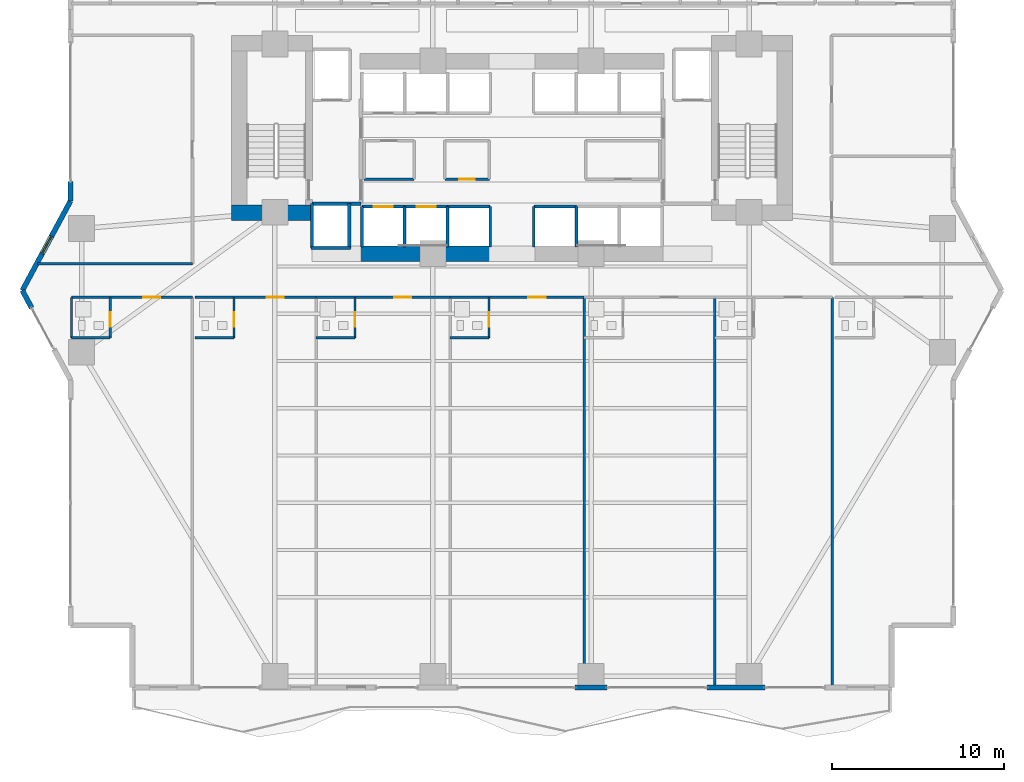
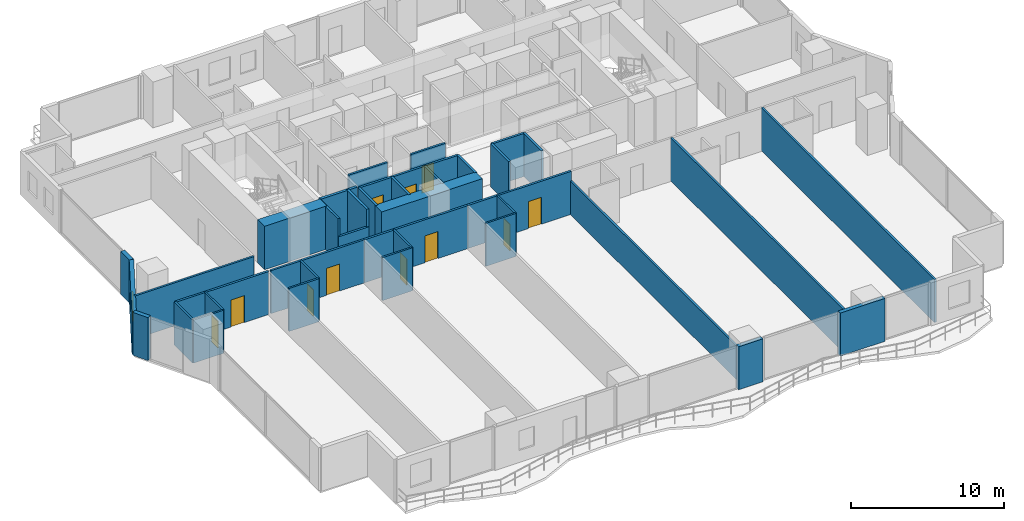
# One storey, part 19 of 28: 40 walls, 11 doors, 1 window, 12 openings.
"""IFC4 building model written with IfcOpenShell, lengths in metres."""

import ifcopenshell
import ifcopenshell.guid

model = None  # the IFC model being written
_history = None  # IfcOwnerHistory: only IFC2X3 demands one
_inside = {}  # id of a spatial element -> (the spatial element, [elements in it])
_under = {}  # id of a project, library or spatial element -> (it, [spatial elements below it])
_declared = {}  # id of a project -> (the project, [libraries it declares])
_typed = {}  # id of a type object -> (the type object, [elements of that type])
_made_of = {}  # id of a material, layer set ... -> (it, [elements and type objects made of it])


def new_model(schema):
    """Start an empty IFC model of exactly this schema.

    Asked for "IFC4X3", IfcOpenShell would pick the latest addendum, in which some entities
    have other attributes; the version numbers below select the first issue.
    IFC2X3 requires an IfcOwnerHistory on every rooted entity: one is made here for all.
    """
    global model, _history
    if schema == "IFC4X3":
        model = ifcopenshell.file(schema_version=(4, 3, 0, 0))
    else:
        model = ifcopenshell.file(schema=schema)
    _inside.clear()
    _under.clear()
    _declared.clear()
    _typed.clear()
    _made_of.clear()
    _history = None
    if model.schema == "IFC2X3":
        org = make("IfcOrganization", Name="unknown")
        user = make(
            "IfcPersonAndOrganization",
            ThePerson=make("IfcPerson", FamilyName="unknown"),
            TheOrganization=org,
        )
        app = make(
            "IfcApplication",
            ApplicationDeveloper=org,
            Version="unknown",
            ApplicationFullName="unknown",
            ApplicationIdentifier="unknown",
        )
        _history = make(
            "IfcOwnerHistory",
            OwningUser=user,
            OwningApplication=app,
            ChangeAction="ADDED",
            CreationDate=0,
        )
    return model


def make(cls, **values):
    """One entity of the class cls with the attributes given. An attribute that is None is left unset."""
    return model.create_entity(
        cls, **{name: value for name, value in values.items() if value is not None}
    )


def rooted(cls, **values):
    """An entity with a GlobalId (a new one), such as an element, a storey or a relation."""
    return make(cls, GlobalId=ifcopenshell.guid.new(), OwnerHistory=_history, **values)


def si_unit(unit_type, name, prefix=None):
    """IfcSIUnit, for example si_unit("LENGTHUNIT", "METRE", prefix="MILLI")."""
    return make("IfcSIUnit", UnitType=unit_type, Prefix=prefix, Name=name)


def assignment(units):
    """IfcUnitAssignment: the units of a project."""
    return None if units is None else make("IfcUnitAssignment", Units=units)


def point(xyz):
    """IfcCartesianPoint."""
    return None if xyz is None else make("IfcCartesianPoint", Coordinates=xyz)


def direction(xyz):
    """IfcDirection."""
    return None if xyz is None else make("IfcDirection", DirectionRatios=xyz)


def frame(location, z_axis=None, x_axis=None):
    """IfcAxis2Placement3D, a coordinate frame: its origin and axes. An axis left out is left unset."""
    return make(
        "IfcAxis2Placement3D",
        Location=point(location),
        Axis=direction(z_axis),
        RefDirection=direction(x_axis),
    )


def frame_2d(location, x_axis=None):
    """IfcAxis2Placement2D, a coordinate frame in the plane: its origin and x axis."""
    return make(
        "IfcAxis2Placement2D", Location=point(location), RefDirection=direction(x_axis)
    )


def origin():
    """The frame at (0, 0, 0) with its axes left unset."""
    return frame((0.0, 0.0, 0.0))


def place(relative_to, where):
    """IfcLocalPlacement: puts the frame where relative to a parent placement (None: the world)."""
    return make(
        "IfcLocalPlacement", PlacementRelTo=relative_to, RelativePlacement=where
    )


def context(
    kind, dimensions, precision=None, world=None, true_north=None, identifier=None
):
    """IfcGeometricRepresentationContext, for example the 3D "Model" context."""
    return make(
        "IfcGeometricRepresentationContext",
        ContextIdentifier=identifier,
        ContextType=kind,
        CoordinateSpaceDimension=dimensions,
        Precision=precision,
        WorldCoordinateSystem=world,
        TrueNorth=true_north,
    )


def subcontext(parent, identifier, kind, view, scale=None):
    """IfcGeometricRepresentationSubContext, for example "Body" below "Model"."""
    return make(
        "IfcGeometricRepresentationSubContext",
        ContextIdentifier=identifier,
        ContextType=kind,
        ParentContext=parent,
        TargetScale=scale,
        TargetView=view,
    )


def project(units=None, contexts=None):
    """IfcProject with its units and contexts."""
    return rooted(
        "IfcProject",
        Name="project",
        RepresentationContexts=contexts,
        UnitsInContext=assignment(units),
    )


def spatial(cls, under=None, at=None, **own):
    """A site, building, storey or space (cls), placed at a placement, below another one or the project."""
    s = rooted(cls, ObjectPlacement=at, **own)
    if under is not None:
        _under.setdefault(under.id(), (under, []))[1].append(s)
    return s


def profile(cls, at=None, kind="AREA", **sizes):
    """A parametric profile (cls). Its sizes go by their IFC names, for example OverallWidth=200.0."""
    return make(cls, ProfileType=kind, Position=at, **sizes)


def rectangle(**sizes):
    """IfcRectangleProfileDef."""
    return profile("IfcRectangleProfileDef", **sizes)


def extrude(swept, where, along, depth):
    """IfcExtrudedAreaSolid: the profile swept, set in the frame where, extruded along a direction by depth."""
    return make(
        "IfcExtrudedAreaSolid",
        SweptArea=swept,
        Position=where,
        ExtrudedDirection=direction(along),
        Depth=depth,
    )


def shape(context_of_items, identifier, shape_type, items):
    """IfcShapeRepresentation: the items that make up one representation, for example the "Body"."""
    return make(
        "IfcShapeRepresentation",
        ContextOfItems=context_of_items,
        RepresentationIdentifier=identifier,
        RepresentationType=shape_type,
        Items=items,
    )


def material(Name=None, Category=None):
    """IfcMaterial."""
    return make("IfcMaterial", Name=Name, Category=Category)


def layer(
    of_material, thickness, ventilated=None, Name=None, Category=None, Priority=None
):
    """IfcMaterialLayer: one layer of a wall or slab, of a material (None: an air gap)."""
    return make(
        "IfcMaterialLayer",
        Material=of_material,
        LayerThickness=thickness,
        IsVentilated=ventilated,
        Name=Name,
        Category=Category,
        Priority=Priority,
    )


def layer_set(layers, Name=None):
    """IfcMaterialLayerSet."""
    return make("IfcMaterialLayerSet", MaterialLayers=layers, LayerSetName=Name)


def made_of(thing, what):
    """Note that an element or type object is made of a material, layer set ...; save() writes the relation."""
    if what is not None:
        _made_of.setdefault(what.id(), (what, []))[1].append(thing)
    return thing


def type_object(cls, material=None, **own):
    """A type object (cls), such as IfcWallType, which elements share."""
    return made_of(rooted(cls, **own), material)


def element(
    cls,
    number,
    at=None,
    inside=None,
    cuts=None,
    type_object=None,
    material=None,
    context=None,
    identifier="Body",
    shape_type=None,
    held_by="IfcProductDefinitionShape",
    body=None,
    shapes=None,
    **own,
):
    """One element of the class cls, such as IfcWall. Its Tag is "e" and its number.

    at: its placement. inside: the storey or other place that contains it. cuts: it is an
    opening in that element (IfcRelVoidsElement). A single representation is given by context,
    identifier, shape_type and body (its items); several are given by shapes. held_by: the class
    of the entity that holds the representations. save() writes the other relations.
    """
    e = rooted(cls, Tag="e%d" % number, ObjectPlacement=at, **own)
    if body is not None:
        shapes = [shape(context, identifier, shape_type, body)]
    if shapes is not None:
        e.Representation = make(held_by, Representations=shapes)
    if inside is not None:
        _inside.setdefault(inside.id(), (inside, []))[1].append(e)
    if cuts is not None:
        rooted(
            "IfcRelVoidsElement", RelatingBuildingElement=cuts, RelatedOpeningElement=e
        )
    if type_object is not None:
        _typed.setdefault(type_object.id(), (type_object, []))[1].append(e)
    return made_of(e, material)


def fill(opening, filler):
    """IfcRelFillsElement: the door or window that sits in an opening."""
    return rooted(
        "IfcRelFillsElement",
        RelatingOpeningElement=opening,
        RelatedBuildingElement=filler,
    )


def aggregate(whole, parts):
    """IfcRelAggregates: a whole, such as a stair, and the parts it consists of."""
    return rooted("IfcRelAggregates", RelatingObject=whole, RelatedObjects=parts)


def save(model, path):
    """Write the relations noted so far, then the file.

    IfcRelAggregates (storeys below a building ...), IfcRelContainedInSpatialStructure (elements
    in a storey), IfcRelDefinesByType, IfcRelAssociatesMaterial and IfcRelDeclares: one each for
    every whole, place, type object, material and project.
    """
    for whole, parts in _under.values():
        aggregate(whole, parts)
    for where, things in _inside.values():
        rooted(
            "IfcRelContainedInSpatialStructure",
            RelatedElements=things,
            RelatingStructure=where,
        )
    for kind, things in _typed.values():
        rooted("IfcRelDefinesByType", RelatedObjects=things, RelatingType=kind)
    for what, things in _made_of.values():
        rooted("IfcRelAssociatesMaterial", RelatedObjects=things, RelatingMaterial=what)
    for by, libraries in _declared.values():
        rooted("IfcRelDeclares", RelatingContext=by, RelatedDefinitions=libraries)
    model.write(path)


model = new_model("IFC4")

# Units and contexts
model_context = context("Model", 3, precision=1e-05, world=origin(), true_north=direction((0.0, 1.0)))
body_context = subcontext(model_context, "Body", "Model", "MODEL_VIEW")
ifc_project = project(units=[si_unit("LENGTHUNIT", "METRE"), si_unit("AREAUNIT", "SQUARE_METRE"), si_unit("VOLUMEUNIT", "CUBIC_METRE"), si_unit("PLANEANGLEUNIT", "RADIAN"), si_unit("MASSUNIT", "GRAM", prefix="KILO")], contexts=[model_context])

# Site, building, storey
site_placement = place(None, origin())
site = spatial("IfcSite", under=ifc_project, at=site_placement, CompositionType="ELEMENT")
building_placement = place(site_placement, origin())
building = spatial("IfcBuilding", under=site, at=building_placement, Name="Zuhayl Quay Hotel", CompositionType="ELEMENT")
storey_placement = place(building_placement, frame((0.0, 0.0, 56.800048828125)))
storey = spatial("IfcBuildingStorey", under=building, at=storey_placement, Name="L13", CompositionType="ELEMENT", Elevation=56.800048828125)

# Walls
ifc_material_1 = material(Name="Concrete C70/85", Category="concrete")
ifc_layer_1 = layer(ifc_material_1, 0.89990234375, Name="Concrete C70/85", Category="concrete")
ifc_layer_set_1 = layer_set([ifc_layer_1], Name="Concrete C70/85")
wall_type_1 = type_object("IfcWallType", Name="WL_CORE_900", PredefinedType="SHEAR", material=ifc_layer_set_1)
wall_1_placement = place(storey_placement, frame((-16.31005859375, 4.52001953125, 0.0), z_axis=(0.0, 0.0, 1.0), x_axis=(1.0, 0.0, 0.0)))
element("IfcWall", 1, at=wall_1_placement, inside=storey, type_object=wall_type_1, Name="L13 Core Shear Wall CW_SW", PredefinedType="SHEAR", context=body_context, shape_type="SweptSolid", body=[
    extrude(rectangle(XDim=4.7099609375, YDim=0.89990234375, at=frame_2d((2.35498046875, 0.0))), origin(), (0.0, 0.0, 1.0), 3.4599609375),
])
wall_2_placement = place(storey_placement, frame((-8.85009765625, 2.14990234375, 0.0), z_axis=(0.0, 0.0, 1.0), x_axis=(1.0, 0.0, 0.0)))
element("IfcWall", 2, at=wall_2_placement, inside=storey, type_object=wall_type_1, Name="L13 Core Shear Wall CW_SC_W", PredefinedType="SHEAR", context=body_context, shape_type="SweptSolid", body=[
    extrude(rectangle(XDim=7.60009765625, YDim=0.89990234375, at=frame_2d((3.800048828125, 0.0))), origin(), (0.0, 0.0, 1.0), 3.429931640625),
])
ifc_material_2 = material(Name="Precast concrete C45/55", Category="concrete")
ifc_layer_2 = layer(ifc_material_2, 0.300048828125, Name="Precast concrete C45/55", Category="concrete")
ifc_layer_set_2 = layer_set([ifc_layer_2], Name="Precast concrete C45/55")
wall_type_2 = type_object("IfcWallType", Name="WL_EXT_300", PredefinedType="STANDARD", material=ifc_layer_set_2)
wall_3_placement = place(storey_placement, frame((-27.954833984375, -1.012451171875, 0.0), z_axis=(0.0, 0.0, 1.0), x_axis=(-0.474099823035, 0.880471099922, 0.0)))
element("IfcWall", 3, at=wall_3_placement, inside=storey, type_object=wall_type_2, Name="L13 Exterior Precast Wall ENV_L13_E03_EW2", PredefinedType="STANDARD", context=body_context, shape_type="SweptSolid", body=[
    extrude(rectangle(XDim=1.14990234375, YDim=0.300048828125, at=frame_2d((0.574951171875, 0.0))), origin(), (0.0, 0.0, 1.0), 3.429931640625),
])

# Wall, opening, window
wall_4_placement = place(storey_placement, frame((-28.5, 0.0, 0.0), z_axis=(0.0, 0.0, 1.0), x_axis=(0.474109683532, 0.880465790352, 0.0)))
wall_4 = element("IfcWall", 4, at=wall_4_placement, inside=storey, type_object=wall_type_2, Name="L13 Exterior Precast Wall ENV_L13_E04_EW1", PredefinedType="STANDARD", context=body_context, shape_type="SweptSolid", body=[
    extrude(rectangle(XDim=5.906005859375, YDim=0.300048828125, at=frame_2d((2.953125, 0.0))), origin(), (0.0, 0.0, 1.0), 3.429931640625),
])
opening_1_placement = place(wall_4_placement, frame((2.43212890625, 0.0, 0.949951171875)))
opening_1 = element("IfcOpeningElement", 5, at=opening_1_placement, cuts=wall_4, Name="Opening W01N", PredefinedType="OPENING", context=body_context, shape_type="SweptSolid", body=[
    extrude(rectangle(XDim=1.14990234375, YDim=1.550048828125, at=frame_2d((0.574951171875, 0.77490234375))), frame((0.0, 0.159912109375, 0.0), z_axis=(0.0, -1.0, 0.0), x_axis=(1.0, 0.0, 0.0)), (0.0, 0.0, 1.0), 0.320068359375),
])
ifc_material_3 = material(Name="Dark Ceramic-Fritted Solar Glass", Category="glass")
window_type = type_object("IfcWindowType", Name="WN_NOTCH_1350", PartitioningType="SINGLE_PANEL", PredefinedType="WINDOW", material=ifc_material_3)
window_placement = place(opening_1_placement, origin())
window = element("IfcWindow", 6, at=window_placement, inside=storey, type_object=window_type, Name="L13 Operable Facade Window 1-1", OverallHeight=1.550048828125, OverallWidth=1.14990234375, PartitioningType="SINGLE_PANEL", PredefinedType="WINDOW", context=body_context, shape_type="SweptSolid", body=[
    extrude(rectangle(XDim=1.14990234375, YDim=1.550048828125, at=frame_2d((0.574951171875, 0.77490234375))), frame((0.0, 0.030029296875, 0.0), z_axis=(0.0, -1.0, 0.0), x_axis=(1.0, 0.0, 0.0)), (0.0, 0.0, 1.0), 0.06005859375),
])
fill(opening_1, window)

# Walls
wall_5_placement = place(storey_placement, frame((-25.699951171875, 5.199951171875, 0.0), z_axis=(0.0, 0.0, 1.0), x_axis=(0.0, 1.0, 0.0)))
element("IfcWall", 7, at=wall_5_placement, inside=storey, type_object=wall_type_2, Name="L13 Exterior Precast Wall ENV_L13_E05_EW1", PredefinedType="STANDARD", context=body_context, shape_type="SweptSolid", body=[
    extrude(rectangle(XDim=1.150146484375, YDim=0.300048828125, at=frame_2d((0.5751953125, 0.0))), origin(), (0.0, 0.0, 1.0), 3.429931640625),
])
wall_6_placement = place(storey_placement, frame((14.719970703125, -23.10009765625, 0.0), z_axis=(0.0, 0.0, 1.0), x_axis=(-1.0, 0.0, 0.0)))
element("IfcWall", 8, at=wall_6_placement, inside=storey, type_object=wall_type_2, Name="L13 Exterior Precast Wall ENV_L13_S_EW2", PredefinedType="STANDARD", context=body_context, shape_type="SweptSolid", body=[
    extrude(rectangle(XDim=3.369873046875, YDim=0.300048828125, at=frame_2d((1.68505859375, 0.0))), origin(), (0.0, 0.0, 1.0), 3.429931640625),
])
wall_7_placement = place(storey_placement, frame((5.52001953125, -23.10009765625, 0.0), z_axis=(0.0, 0.0, 1.0), x_axis=(-1.0, 0.0, 0.0)))
element("IfcWall", 9, at=wall_7_placement, inside=storey, type_object=wall_type_2, Name="L13 Exterior Precast Wall ENV_L13_S_EW3", PredefinedType="STANDARD", context=body_context, shape_type="SweptSolid", body=[
    extrude(rectangle(XDim=1.840087890625, YDim=0.300048828125, at=frame_2d((0.919921875, 0.0))), origin(), (0.0, 0.0, 1.0), 3.429931640625),
])

# Wall, opening, door
ifc_material_4 = material(Name="Acoustic Gypsum Partition STC-58")
ifc_layer_3 = layer(ifc_material_4, 0.14990234375, Name="Acoustic Gypsum Partition STC-58")
ifc_layer_set_3 = layer_set([ifc_layer_3], Name="Acoustic Gypsum Partition STC-58")
wall_type_3 = type_object("IfcWallType", Name="WL_PART_150", PredefinedType="PARTITIONING", material=ifc_layer_set_3)
wall_8_placement = place(storey_placement, frame((-3.909912109375, 6.47998046875, 0.0), z_axis=(0.0, 0.0, 1.0), x_axis=(1.0, 0.0, 0.0)))
wall_8 = element("IfcWall", 10, at=wall_8_placement, inside=storey, type_object=wall_type_3, Name="L13 Partition IW_L13_CORE_BC_S", PredefinedType="PARTITIONING", context=body_context, shape_type="SweptSolid", body=[
    extrude(rectangle(XDim=2.58984375, YDim=0.14990234375, at=frame_2d((1.294921875, 0.0))), origin(), (0.0, 0.0, 1.0), 3.429931640625),
])
opening_2_placement = place(wall_8_placement, frame((0.844970703125, 0.0, 0.0)))
opening_2 = element("IfcOpeningElement", 11, at=opening_2_placement, cuts=wall_8, Name="Opening D06", PredefinedType="OPENING", context=body_context, shape_type="SweptSolid", body=[
    extrude(rectangle(XDim=0.89990234375, YDim=2.14990234375, at=frame_2d((0.449951171875, 1.074951171875))), frame((0.0, 0.0849609375, 0.0), z_axis=(0.0, -1.0, 0.0), x_axis=(1.0, 0.0, 0.0)), (0.0, 0.0, 1.0), 0.169921875),
])
ifc_material_5 = material(Name="Steel ASTM A992 Grade 50", Category="steel")
door_type_1 = type_object("IfcDoorType", Name="DR_INT_900", OperationType="NOTDEFINED", PredefinedType="DOOR", material=ifc_material_5)
door_1_placement = place(opening_2_placement, origin())
door_1 = element("IfcDoor", 12, at=door_1_placement, inside=storey, type_object=door_type_1, Name="L13 BMS Control Closet Door", OperationType="SINGLE_SWING_RIGHT", OverallHeight=2.14990234375, OverallWidth=0.89990234375, PredefinedType="DOOR", context=body_context, shape_type="SweptSolid", body=[
    extrude(rectangle(XDim=0.89990234375, YDim=2.14990234375, at=frame_2d((0.449951171875, 1.074951171875))), frame((0.0, 0.02490234375, 0.0), z_axis=(0.0, -1.0, 0.0), x_axis=(1.0, 0.0, 0.0)), (0.0, 0.0, 1.0), 0.050048828125),
])
fill(opening_2, door_1)

# Walls
wall_9_placement = place(storey_placement, frame((-8.610107421875, 6.47998046875, 0.0), z_axis=(0.0, 0.0, 1.0), x_axis=(1.0, 0.0, 0.0)))
element("IfcWall", 13, at=wall_9_placement, inside=storey, type_object=wall_type_3, Name="L13 Partition IW_L13_CORE_HK_S", PredefinedType="PARTITIONING", context=body_context, shape_type="SweptSolid", body=[
    extrude(rectangle(XDim=2.920166015625, YDim=0.14990234375, at=frame_2d((1.4599609375, 0.0))), origin(), (0.0, 0.0, 1.0), 3.429931640625),
])
wall_10_placement = place(storey_placement, frame((4.199951171875, -23.02001953125, 0.0), z_axis=(0.0, 0.0, 1.0), x_axis=(0.0, 1.0, 0.0)))
element("IfcWall", 14, at=wall_10_placement, inside=storey, type_object=wall_type_3, Name="L13 Partition IW_L13_SU03_E", PredefinedType="PARTITIONING", context=body_context, shape_type="SweptSolid", body=[
    extrude(rectangle(XDim=22.6201171875, YDim=0.14990234375, at=frame_2d((11.31005859375, 0.0))), origin(), (0.0, 0.0, 1.0), 2.66796875),
])
for number, where, z_axis, x_axis, name in (
    (15, (11.800048828125, -23.02001953125, 0.0), (0.0, 0.0, 1.0), (0.0, 1.0, 0.0), "L13 Partition IW_L13_SU04_E"),
    (16, (18.639892578125, -23.02001953125, 0.0), (0.0, 0.0, 1.0), (0.0, 1.0, 0.0), "L13 Partition IW_L13_SU05A_E"),
):
    element("IfcWall", number, at=place(storey_placement, frame(where, z_axis=z_axis, x_axis=x_axis)), inside=storey, type_object=wall_type_3, Name=name, PredefinedType="PARTITIONING", context=body_context, shape_type="SweptSolid", body=[
        extrude(rectangle(XDim=22.6201171875, YDim=0.14990234375, at=frame_2d((11.31005859375, 0.0))), origin(), (0.0, 0.0, 1.0), 3.429931640625),
    ])
wall_11_placement = place(storey_placement, frame((-27.60546875, 1.550048828125, 0.0), z_axis=(0.0, 0.0, 1.0), x_axis=(1.0, 0.0, 0.0)))
element("IfcWall", 17, at=wall_11_placement, inside=storey, type_object=wall_type_3, Name="L13 Partition IW_L13_WPROW_1_S", PredefinedType="PARTITIONING", context=body_context, shape_type="SweptSolid", body=[
    extrude(rectangle(XDim=9.00537109375, YDim=0.14990234375, at=frame_2d((4.502685546875, 0.0))), origin(), (0.0, 0.0, 1.0), 3.429931640625),
])

# Wall, opening, door
ifc_layer_4 = layer(ifc_material_4, 0.159912109375, Name="Acoustic Gypsum Partition STC-58")
ifc_layer_set_4 = layer_set([ifc_layer_4], Name="Acoustic Gypsum Partition STC-58")
wall_type_4 = type_object("IfcWallType", Name="WL_PART_CORR_160", PredefinedType="PARTITIONING", material=ifc_layer_set_4)
wall_12_placement = place(storey_placement, frame((-25.639892578125, -0.39990234375, 0.0), z_axis=(0.0, 0.0, 1.0), x_axis=(1.0, 0.0, 0.0)))
wall_12 = element("IfcWall", 18, at=wall_12_placement, inside=storey, type_object=wall_type_4, Name="L13 Partition IW_L13_SU01A_COR", PredefinedType="PARTITIONING", context=body_context, shape_type="SweptSolid", body=[
    extrude(rectangle(XDim=7.039794921875, YDim=0.159912109375, at=frame_2d((3.52001953125, 0.0))), origin(), (0.0, 0.0, 1.0), 3.429931640625),
])
opening_3_placement = place(wall_12_placement, frame((4.169921875, 0.0, 0.0)))
opening_3 = element("IfcOpeningElement", 19, at=opening_3_placement, cuts=wall_12, Name="Opening D03L", PredefinedType="OPENING", context=body_context, shape_type="SweptSolid", body=[
    extrude(rectangle(XDim=1.0, YDim=2.14990234375, at=frame_2d((0.5, 1.074951171875))), frame((0.0, 0.08984375, 0.0), z_axis=(0.0, -1.0, 0.0), x_axis=(1.0, 0.0, 0.0)), (0.0, 0.0, 1.0), 0.179931640625),
])
ifc_material_6 = material(Name="Solid Walnut Acoustic Fire Door")
door_type_2 = type_object("IfcDoorType", Name="DR_SUITE_1000", OperationType="NOTDEFINED", PredefinedType="DOOR", material=ifc_material_6)
door_2_placement = place(opening_3_placement, origin())
door_2 = element("IfcDoor", 20, at=door_2_placement, inside=storey, type_object=door_type_2, Name="L13 City-View Junior Suite L13-01A Entrance Door", OperationType="SINGLE_SWING_RIGHT", OverallHeight=2.14990234375, OverallWidth=1.0, PredefinedType="DOOR", context=body_context, shape_type="SweptSolid", body=[
    extrude(rectangle(XDim=1.0, YDim=2.14990234375, at=frame_2d((0.5, 1.074951171875))), frame((0.0, 0.02490234375, 0.0), z_axis=(0.0, -1.0, 0.0), x_axis=(1.0, 0.0, 0.0)), (0.0, 0.0, 1.0), 0.050048828125),
])
fill(opening_3, door_2)

wall_13_placement = place(storey_placement, frame((-18.43994140625, -0.39990234375, 0.0), z_axis=(0.0, 0.0, 1.0), x_axis=(1.0, 0.0, 0.0)))
wall_13 = element("IfcWall", 21, at=wall_13_placement, inside=storey, type_object=wall_type_4, Name="L13 Partition IW_L13_SU01B_COR", PredefinedType="PARTITIONING", context=body_context, shape_type="SweptSolid", body=[
    extrude(rectangle(XDim=7.0400390625, YDim=0.159912109375, at=frame_2d((3.52001953125, 0.0))), origin(), (0.0, 0.0, 1.0), 3.429931640625),
])
opening_4_placement = place(wall_13_placement, frame((4.169921875, 0.0, 0.0)))
opening_4 = element("IfcOpeningElement", 22, at=opening_4_placement, cuts=wall_13, Name="Opening D03L", PredefinedType="OPENING", context=body_context, shape_type="SweptSolid", body=[
    extrude(rectangle(XDim=1.0, YDim=2.14990234375, at=frame_2d((0.5, 1.074951171875))), frame((0.0, 0.08984375, 0.0), z_axis=(0.0, -1.0, 0.0), x_axis=(1.0, 0.0, 0.0)), (0.0, 0.0, 1.0), 0.179931640625),
])
door_3_placement = place(opening_4_placement, origin())
door_3 = element("IfcDoor", 23, at=door_3_placement, inside=storey, type_object=door_type_2, Name="L13 City-View Junior Suite L13-01B Entrance Door", OperationType="SINGLE_SWING_RIGHT", OverallHeight=2.14990234375, OverallWidth=1.0, PredefinedType="DOOR", context=body_context, shape_type="SweptSolid", body=[
    extrude(rectangle(XDim=1.0, YDim=2.14990234375, at=frame_2d((0.5, 1.074951171875))), frame((0.0, 0.02490234375, 0.0), z_axis=(0.0, -1.0, 0.0), x_axis=(1.0, 0.0, 0.0)), (0.0, 0.0, 1.0), 0.050048828125),
])
fill(opening_4, door_3)

wall_14_placement = place(storey_placement, frame((-11.39990234375, -0.39990234375, 0.0), z_axis=(0.0, 0.0, 1.0), x_axis=(1.0, 0.0, 0.0)))
wall_14 = element("IfcWall", 24, at=wall_14_placement, inside=storey, type_object=wall_type_4, Name="L13 Partition IW_L13_SU02_COR", PredefinedType="PARTITIONING", context=body_context, shape_type="SweptSolid", body=[
    extrude(rectangle(XDim=7.7998046875, YDim=0.159912109375, at=frame_2d((3.89990234375, 0.0))), origin(), (0.0, 0.0, 1.0), 3.429931640625),
])
opening_5_placement = place(wall_14_placement, frame((4.550048828125, 0.0, 0.0)))
opening_5 = element("IfcOpeningElement", 25, at=opening_5_placement, cuts=wall_14, Name="Opening D03L", PredefinedType="OPENING", context=body_context, shape_type="SweptSolid", body=[
    extrude(rectangle(XDim=1.0, YDim=2.14990234375, at=frame_2d((0.5, 1.074951171875))), frame((0.0, 0.08984375, 0.0), z_axis=(0.0, -1.0, 0.0), x_axis=(1.0, 0.0, 0.0)), (0.0, 0.0, 1.0), 0.179931640625),
])
door_4_placement = place(opening_5_placement, origin())
door_4 = element("IfcDoor", 26, at=door_4_placement, inside=storey, type_object=door_type_2, Name="L13 City-View Junior Suite L13-02 Entrance Door", OperationType="SINGLE_SWING_RIGHT", OverallHeight=2.14990234375, OverallWidth=1.0, PredefinedType="DOOR", context=body_context, shape_type="SweptSolid", body=[
    extrude(rectangle(XDim=1.0, YDim=2.14990234375, at=frame_2d((0.5, 1.074951171875))), frame((0.0, 0.02490234375, 0.0), z_axis=(0.0, -1.0, 0.0), x_axis=(1.0, 0.0, 0.0)), (0.0, 0.0, 1.0), 0.050048828125),
])
fill(opening_5, door_4)

wall_15_placement = place(storey_placement, frame((-3.60009765625, -0.39990234375, 0.0), z_axis=(0.0, 0.0, 1.0), x_axis=(1.0, 0.0, 0.0)))
wall_15 = element("IfcWall", 27, at=wall_15_placement, inside=storey, type_object=wall_type_4, Name="L13 Partition IW_L13_SU03_COR", PredefinedType="PARTITIONING", context=body_context, shape_type="SweptSolid", body=[
    extrude(rectangle(XDim=7.800048828125, YDim=0.159912109375, at=frame_2d((3.89990234375, 0.0))), origin(), (0.0, 0.0, 1.0), 3.429931640625),
])
opening_6_placement = place(wall_15_placement, frame((4.550048828125, 0.0, 0.0)))
opening_6 = element("IfcOpeningElement", 28, at=opening_6_placement, cuts=wall_15, Name="Opening D03L", PredefinedType="OPENING", context=body_context, shape_type="SweptSolid", body=[
    extrude(rectangle(XDim=1.0, YDim=2.14990234375, at=frame_2d((0.5, 1.074951171875))), frame((0.0, 0.08984375, 0.0), z_axis=(0.0, -1.0, 0.0), x_axis=(1.0, 0.0, 0.0)), (0.0, 0.0, 1.0), 0.179931640625),
])
door_5_placement = place(opening_6_placement, origin())
door_5 = element("IfcDoor", 29, at=door_5_placement, inside=storey, type_object=door_type_2, Name="L13 City-View Junior Suite L13-03 Entrance Door", OperationType="SINGLE_SWING_RIGHT", OverallHeight=2.14990234375, OverallWidth=1.0, PredefinedType="DOOR", context=body_context, shape_type="SweptSolid", body=[
    extrude(rectangle(XDim=1.0, YDim=2.14990234375, at=frame_2d((0.5, 1.074951171875))), frame((0.0, 0.02490234375, 0.0), z_axis=(0.0, -1.0, 0.0), x_axis=(1.0, 0.0, 0.0)), (0.0, 0.0, 1.0), 0.050048828125),
])
fill(opening_6, door_5)

ifc_material_7 = material(Name="Moisture-Resistant Sanitarychase Gypsum")
ifc_layer_5 = layer(ifc_material_7, 0.135009765625, Name="Moisture-Resistant Sanitarychase Gypsum")
ifc_layer_set_5 = layer_set([ifc_layer_5], Name="Moisture-Resistant Sanitarychase Gypsum")
wall_type_5 = type_object("IfcWallType", Name="WL_PART_PLUMB_150", PredefinedType="PLUMBINGWALL", material=ifc_layer_set_5)
wall_16_placement = place(storey_placement, frame((-23.3798828125, -2.760009765625, 0.0), z_axis=(0.0, 0.0, 1.0), x_axis=(0.0, 1.0, 0.0)))
wall_16 = element("IfcWall", 30, at=wall_16_placement, inside=storey, type_object=wall_type_5, Name="L13 Partition IW_L13_SU01A_BE", PredefinedType="PLUMBINGWALL", context=body_context, shape_type="SweptSolid", body=[
    extrude(rectangle(XDim=2.360107421875, YDim=0.135009765625, at=frame_2d((1.18017578125, 0.0))), origin(), (0.0, 0.0, 1.0), 3.429931640625),
])
opening_7_placement = place(wall_16_placement, frame((0.64990234375, 0.0, 0.0)))
opening_7 = element("IfcOpeningElement", 31, at=opening_7_placement, cuts=wall_16, Name="Opening D04", PredefinedType="OPENING", context=body_context, shape_type="SweptSolid", body=[
    extrude(rectangle(XDim=0.85009765625, YDim=2.10009765625, at=frame_2d((0.425048828125, 1.050048828125))), frame((0.0, 0.077392578125, 0.0), z_axis=(0.0, -1.0, 0.0), x_axis=(1.0, 0.0, 0.0)), (0.0, 0.0, 1.0), 0.155029296875),
])
ifc_material_8 = material(Name="Moisture-Resistant Walnut Veneer")
door_type_3 = type_object("IfcDoorType", Name="DR_BATH_850", OperationType="NOTDEFINED", PredefinedType="DOOR", material=ifc_material_8)
door_6_placement = place(opening_7_placement, origin())
door_6 = element("IfcDoor", 32, at=door_6_placement, inside=storey, type_object=door_type_3, Name="L13 City-View Junior Suite L13-01A En-Suite Door", OperationType="SINGLE_SWING_LEFT", OverallHeight=2.10009765625, OverallWidth=0.85009765625, PredefinedType="DOOR", context=body_context, shape_type="SweptSolid", body=[
    extrude(rectangle(XDim=0.85009765625, YDim=2.10009765625, at=frame_2d((0.425048828125, 1.050048828125))), frame((0.0, 0.02490234375, 0.0), z_axis=(0.0, -1.0, 0.0), x_axis=(1.0, 0.0, 0.0)), (0.0, 0.0, 1.0), 0.050048828125),
])
fill(opening_7, door_6)

wall_17_placement = place(storey_placement, frame((-16.179931640625, -2.760009765625, 0.0), z_axis=(0.0, 0.0, 1.0), x_axis=(0.0, 1.0, 0.0)))
wall_17 = element("IfcWall", 33, at=wall_17_placement, inside=storey, type_object=wall_type_5, Name="L13 Partition IW_L13_SU01B_BE", PredefinedType="PLUMBINGWALL", context=body_context, shape_type="SweptSolid", body=[
    extrude(rectangle(XDim=2.360107421875, YDim=0.135009765625, at=frame_2d((1.18017578125, 0.0))), origin(), (0.0, 0.0, 1.0), 3.429931640625),
])
opening_8_placement = place(wall_17_placement, frame((0.64990234375, 0.0, 0.0)))
opening_8 = element("IfcOpeningElement", 34, at=opening_8_placement, cuts=wall_17, Name="Opening D04", PredefinedType="OPENING", context=body_context, shape_type="SweptSolid", body=[
    extrude(rectangle(XDim=0.85009765625, YDim=2.10009765625, at=frame_2d((0.425048828125, 1.050048828125))), frame((0.0, 0.077392578125, 0.0), z_axis=(0.0, -1.0, 0.0), x_axis=(1.0, 0.0, 0.0)), (0.0, 0.0, 1.0), 0.155029296875),
])
door_7_placement = place(opening_8_placement, origin())
door_7 = element("IfcDoor", 35, at=door_7_placement, inside=storey, type_object=door_type_3, Name="L13 City-View Junior Suite L13-01B En-Suite Door", OperationType="SINGLE_SWING_LEFT", OverallHeight=2.10009765625, OverallWidth=0.85009765625, PredefinedType="DOOR", context=body_context, shape_type="SweptSolid", body=[
    extrude(rectangle(XDim=0.85009765625, YDim=2.10009765625, at=frame_2d((0.425048828125, 1.050048828125))), frame((0.0, 0.02490234375, 0.0), z_axis=(0.0, -1.0, 0.0), x_axis=(1.0, 0.0, 0.0)), (0.0, 0.0, 1.0), 0.050048828125),
])
fill(opening_8, door_7)

wall_18_placement = place(storey_placement, frame((-9.139892578125, -2.760009765625, 0.0), z_axis=(0.0, 0.0, 1.0), x_axis=(0.0, 1.0, 0.0)))
wall_18 = element("IfcWall", 36, at=wall_18_placement, inside=storey, type_object=wall_type_5, Name="L13 Partition IW_L13_SU02_BE", PredefinedType="PLUMBINGWALL", context=body_context, shape_type="SweptSolid", body=[
    extrude(rectangle(XDim=2.360107421875, YDim=0.135009765625, at=frame_2d((1.18017578125, 0.0))), origin(), (0.0, 0.0, 1.0), 3.429931640625),
])
opening_9_placement = place(wall_18_placement, frame((0.64990234375, 0.0, 0.0)))
opening_9 = element("IfcOpeningElement", 37, at=opening_9_placement, cuts=wall_18, Name="Opening D04", PredefinedType="OPENING", context=body_context, shape_type="SweptSolid", body=[
    extrude(rectangle(XDim=0.85009765625, YDim=2.10009765625, at=frame_2d((0.425048828125, 1.050048828125))), frame((0.0, 0.077392578125, 0.0), z_axis=(0.0, -1.0, 0.0), x_axis=(1.0, 0.0, 0.0)), (0.0, 0.0, 1.0), 0.155029296875),
])
door_8_placement = place(opening_9_placement, origin())
door_8 = element("IfcDoor", 38, at=door_8_placement, inside=storey, type_object=door_type_3, Name="L13 City-View Junior Suite L13-02 En-Suite Door", OperationType="SINGLE_SWING_LEFT", OverallHeight=2.10009765625, OverallWidth=0.85009765625, PredefinedType="DOOR", context=body_context, shape_type="SweptSolid", body=[
    extrude(rectangle(XDim=0.85009765625, YDim=2.10009765625, at=frame_2d((0.425048828125, 1.050048828125))), frame((0.0, 0.02490234375, 0.0), z_axis=(0.0, -1.0, 0.0), x_axis=(1.0, 0.0, 0.0)), (0.0, 0.0, 1.0), 0.050048828125),
])
fill(opening_9, door_8)

wall_19_placement = place(storey_placement, frame((-1.340087890625, -2.760009765625, 0.0), z_axis=(0.0, 0.0, 1.0), x_axis=(0.0, 1.0, 0.0)))
wall_19 = element("IfcWall", 39, at=wall_19_placement, inside=storey, type_object=wall_type_5, Name="L13 Partition IW_L13_SU03_BE", PredefinedType="PLUMBINGWALL", context=body_context, shape_type="SweptSolid", body=[
    extrude(rectangle(XDim=2.360107421875, YDim=0.135009765625, at=frame_2d((1.18017578125, 0.0))), origin(), (0.0, 0.0, 1.0), 3.429931640625),
])
opening_10_placement = place(wall_19_placement, frame((0.64990234375, 0.0, 0.0)))
opening_10 = element("IfcOpeningElement", 40, at=opening_10_placement, cuts=wall_19, Name="Opening D04", PredefinedType="OPENING", context=body_context, shape_type="SweptSolid", body=[
    extrude(rectangle(XDim=0.85009765625, YDim=2.10009765625, at=frame_2d((0.425048828125, 1.050048828125))), frame((0.0, 0.077392578125, 0.0), z_axis=(0.0, -1.0, 0.0), x_axis=(1.0, 0.0, 0.0)), (0.0, 0.0, 1.0), 0.155029296875),
])
door_9_placement = place(opening_10_placement, origin())
door_9 = element("IfcDoor", 41, at=door_9_placement, inside=storey, type_object=door_type_3, Name="L13 City-View Junior Suite L13-03 En-Suite Door", OperationType="SINGLE_SWING_LEFT", OverallHeight=2.10009765625, OverallWidth=0.85009765625, PredefinedType="DOOR", context=body_context, shape_type="SweptSolid", body=[
    extrude(rectangle(XDim=0.85009765625, YDim=2.10009765625, at=frame_2d((0.425048828125, 1.050048828125))), frame((0.0, 0.02490234375, 0.0), z_axis=(0.0, -1.0, 0.0), x_axis=(1.0, 0.0, 0.0)), (0.0, 0.0, 1.0), 0.050048828125),
])
fill(opening_10, door_9)

# Walls
wall_20_placement = place(storey_placement, frame((-25.639892578125, -2.760009765625, 0.0), z_axis=(0.0, 0.0, 1.0), x_axis=(1.0, 0.0, 0.0)))
element("IfcWall", 42, at=wall_20_placement, inside=storey, type_object=wall_type_5, Name="L13 Partition IW_L13_SU01A_BS", PredefinedType="PLUMBINGWALL", context=body_context, shape_type="SweptSolid", body=[
    extrude(rectangle(XDim=2.260009765625, YDim=0.135009765625, at=frame_2d((1.1298828125, 0.0))), origin(), (0.0, 0.0, 1.0), 3.429931640625),
])
wall_21_placement = place(storey_placement, frame((-25.639892578125, -2.760009765625, 0.0), z_axis=(0.0, 0.0, 1.0), x_axis=(0.0, 1.0, 0.0)))
element("IfcWall", 43, at=wall_21_placement, inside=storey, type_object=wall_type_5, Name="L13 Partition IW_L13_SU01A_BW", PredefinedType="PLUMBINGWALL", context=body_context, shape_type="SweptSolid", body=[
    extrude(rectangle(XDim=2.360107421875, YDim=0.135009765625, at=frame_2d((1.18017578125, 0.0))), origin(), (0.0, 0.0, 1.0), 3.429931640625),
])
for number, where, z_axis, x_axis, name in (
    (44, (-18.43994140625, -2.760009765625, 0.0), (0.0, 0.0, 1.0), (1.0, 0.0, 0.0), "L13 Partition IW_L13_SU01B_BS"),
    (45, (-11.39990234375, -2.760009765625, 0.0), (0.0, 0.0, 1.0), (1.0, 0.0, 0.0), "L13 Partition IW_L13_SU02_BS"),
    (46, (-3.60009765625, -2.760009765625, 0.0), (0.0, 0.0, 1.0), (1.0, 0.0, 0.0), "L13 Partition IW_L13_SU03_BS"),
):
    element("IfcWall", number, at=place(storey_placement, frame(where, z_axis=z_axis, x_axis=x_axis)), inside=storey, type_object=wall_type_5, Name=name, PredefinedType="PLUMBINGWALL", context=body_context, shape_type="SweptSolid", body=[
        extrude(rectangle(XDim=2.260009765625, YDim=0.135009765625, at=frame_2d((1.1298828125, 0.0))), origin(), (0.0, 0.0, 1.0), 3.429931640625),
    ])

# Wall, opening, door
ifc_material_9 = material(Name="Gypsum Fireboard Assembly EI-90")
ifc_layer_6 = layer(ifc_material_9, 0.1650390625, Name="Gypsum Fireboard Assembly EI-90")
ifc_layer_set_6 = layer_set([ifc_layer_6], Name="Gypsum Fireboard Assembly EI-90")
wall_type_6 = type_object("IfcWallType", Name="WL_PART_SHAFT_160", PredefinedType="PARTITIONING", material=ifc_layer_set_6)
wall_22_placement = place(storey_placement, frame((-8.72998046875, 4.8798828125, 0.0), z_axis=(0.0, 0.0, 1.0), x_axis=(1.0, 0.0, 0.0)))
wall_22 = element("IfcWall", 47, at=wall_22_placement, inside=storey, type_object=wall_type_6, Name="L13 Partition IW_L13_SH_LP1_F", PredefinedType="PARTITIONING", context=body_context, shape_type="SweptSolid", body=[
    extrude(rectangle(XDim=2.47998046875, YDim=0.1650390625, at=frame_2d((1.239990234375, 0.0))), origin(), (0.0, 0.0, 1.0), 3.429931640625),
])
opening_11_placement = place(wall_22_placement, frame((0.68994140625, 0.0, 0.0)))
opening_11 = element("IfcOpeningElement", 48, at=opening_11_placement, cuts=wall_22, Name="Opening LD1", PredefinedType="OPENING", context=body_context, shape_type="SweptSolid", body=[
    extrude(rectangle(XDim=1.10009765625, YDim=2.25, at=frame_2d((0.550048828125, 1.125))), frame((0.0, 0.092529296875, 0.0), z_axis=(0.0, -1.0, 0.0), x_axis=(1.0, 0.0, 0.0)), (0.0, 0.0, 1.0), 0.18505859375),
])
ifc_material_10 = material(Name="Brushed Stainless Steel", Category="steel")
door_type_4 = type_object("IfcDoorType", Name="DR_LIFT_PASS_1100", OperationType="SLIDING_TO_LEFT", PredefinedType="DOOR", material=ifc_material_10)
door_10_placement = place(opening_11_placement, origin())
door_10 = element("IfcDoor", 49, at=door_10_placement, inside=storey, type_object=door_type_4, Name="L13 Lift LP1 Sliding Landing Door", OperationType="SLIDING_TO_LEFT", OverallHeight=2.25, OverallWidth=1.10009765625, PredefinedType="DOOR", context=body_context, shape_type="SweptSolid", body=[
    extrude(rectangle(XDim=1.10009765625, YDim=2.25, at=frame_2d((0.550048828125, 1.125))), frame((0.0, 0.02490234375, 0.0), z_axis=(0.0, -1.0, 0.0), x_axis=(1.0, 0.0, 0.0)), (0.0, 0.0, 1.0), 0.050048828125),
])
fill(opening_11, door_10)

wall_23_placement = place(storey_placement, frame((-6.25, 4.8798828125, 0.0), z_axis=(0.0, 0.0, 1.0), x_axis=(1.0, 0.0, 0.0)))
wall_23 = element("IfcWall", 50, at=wall_23_placement, inside=storey, type_object=wall_type_6, Name="L13 Partition IW_L13_SH_LP2_F", PredefinedType="PARTITIONING", context=body_context, shape_type="SweptSolid", body=[
    extrude(rectangle(XDim=2.5, YDim=0.1650390625, at=frame_2d((1.25, 0.0))), origin(), (0.0, 0.0, 1.0), 3.429931640625),
])
opening_12_placement = place(wall_23_placement, frame((0.699951171875, 0.0, 0.0)))
opening_12 = element("IfcOpeningElement", 51, at=opening_12_placement, cuts=wall_23, Name="Opening LD1", PredefinedType="OPENING", context=body_context, shape_type="SweptSolid", body=[
    extrude(rectangle(XDim=1.10009765625, YDim=2.25, at=frame_2d((0.550048828125, 1.125))), frame((0.0, 0.092529296875, 0.0), z_axis=(0.0, -1.0, 0.0), x_axis=(1.0, 0.0, 0.0)), (0.0, 0.0, 1.0), 0.18505859375),
])
door_11_placement = place(opening_12_placement, origin())
door_11 = element("IfcDoor", 52, at=door_11_placement, inside=storey, type_object=door_type_4, Name="L13 Lift LP2 Sliding Landing Door", OperationType="SLIDING_TO_LEFT", OverallHeight=2.25, OverallWidth=1.10009765625, PredefinedType="DOOR", context=body_context, shape_type="SweptSolid", body=[
    extrude(rectangle(XDim=1.10009765625, YDim=2.25, at=frame_2d((0.550048828125, 1.125))), frame((0.0, 0.02490234375, 0.0), z_axis=(0.0, -1.0, 0.0), x_axis=(1.0, 0.0, 0.0)), (0.0, 0.0, 1.0), 0.050048828125),
])
fill(opening_12, door_11)

# Walls
for number, where, z_axis, x_axis, name in (
    (53, (-8.72998046875, 2.52001953125, 0.0), (0.0, 0.0, 1.0), (0.0, 1.0, 0.0), "L13 Partition IW_L13_SH_LP1_W"),
    (54, (-6.25, 2.52001953125, 0.0), (0.0, 0.0, 1.0), (0.0, 1.0, 0.0), "L13 Partition IW_L13_SH_LP1_E"),
    (55, (-3.75, 2.52001953125, 0.0), (0.0, 0.0, 1.0), (0.0, 1.0, 0.0), "L13 Partition IW_L13_SH_LP2_E"),
):
    element("IfcWall", number, at=place(storey_placement, frame(where, z_axis=z_axis, x_axis=x_axis)), inside=storey, type_object=wall_type_6, Name=name, PredefinedType="PARTITIONING", context=body_context, shape_type="SweptSolid", body=[
        extrude(rectangle(XDim=2.35986328125, YDim=0.1650390625, at=frame_2d((1.179931640625, 0.0))), origin(), (0.0, 0.0, 1.0), 3.429931640625),
    ])
wall_24_placement = place(storey_placement, frame((-3.75, 4.8798828125, 0.0), z_axis=(0.0, 0.0, 1.0), x_axis=(1.0, 0.0, 0.0)))
element("IfcWall", 56, at=wall_24_placement, inside=storey, type_object=wall_type_6, Name="L13 Partition IW_L13_SH_MP1_F", PredefinedType="PARTITIONING", context=body_context, shape_type="SweptSolid", body=[
    extrude(rectangle(XDim=2.47998046875, YDim=0.1650390625, at=frame_2d((1.239990234375, 0.0))), origin(), (0.0, 0.0, 1.0), 3.429931640625),
])
wall_25_placement = place(storey_placement, frame((-1.27001953125, 2.52001953125, 0.0), z_axis=(0.0, 0.0, 1.0), x_axis=(0.0, 1.0, 0.0)))
element("IfcWall", 57, at=wall_25_placement, inside=storey, type_object=wall_type_6, Name="L13 Partition IW_L13_SH_MP1_E", PredefinedType="PARTITIONING", context=body_context, shape_type="SweptSolid", body=[
    extrude(rectangle(XDim=2.35986328125, YDim=0.1650390625, at=frame_2d((1.179931640625, 0.0))), origin(), (0.0, 0.0, 1.0), 3.429931640625),
])
wall_26_placement = place(storey_placement, frame((1.27001953125, 4.8798828125, 0.0), z_axis=(0.0, 0.0, 1.0), x_axis=(1.0, 0.0, 0.0)))
element("IfcWall", 58, at=wall_26_placement, inside=storey, type_object=wall_type_6, Name="L13 Partition IW_L13_SH_MP2_F", PredefinedType="PARTITIONING", context=body_context, shape_type="SweptSolid", body=[
    extrude(rectangle(XDim=2.47998046875, YDim=0.1650390625, at=frame_2d((1.239990234375, 0.0))), origin(), (0.0, 0.0, 1.0), 3.429931640625),
])
for number, where, z_axis, x_axis, name in (
    (59, (1.27001953125, 2.52001953125, 0.0), (0.0, 0.0, 1.0), (0.0, 1.0, 0.0), "L13 Partition IW_L13_SH_MP2_W"),
    (60, (3.75, 2.52001953125, 0.0), (0.0, 0.0, 1.0), (0.0, 1.0, 0.0), "L13 Partition IW_L13_SH_MP2_E"),
):
    element("IfcWall", number, at=place(storey_placement, frame(where, z_axis=z_axis, x_axis=x_axis)), inside=storey, type_object=wall_type_6, Name=name, PredefinedType="PARTITIONING", context=body_context, shape_type="SweptSolid", body=[
        extrude(rectangle(XDim=2.35986328125, YDim=0.1650390625, at=frame_2d((1.179931640625, 0.0))), origin(), (0.0, 0.0, 1.0), 3.429931640625),
    ])
wall_27_placement = place(storey_placement, frame((-11.6298828125, 2.469970703125, 0.0), z_axis=(0.0, 0.0, 1.0), x_axis=(0.0, 1.0, 0.0)))
element("IfcWall", 61, at=wall_27_placement, inside=storey, type_object=wall_type_6, Name="L13 Partition IW_L13_RISER_W", PredefinedType="PARTITIONING", context=body_context, shape_type="SweptSolid", body=[
    extrude(rectangle(XDim=2.580078125, YDim=0.1650390625, at=frame_2d((1.2900390625, 0.0))), origin(), (0.0, 0.0, 1.0), 3.429931640625),
])
wall_28_placement = place(storey_placement, frame((-11.7099609375, 2.469970703125, 0.0), z_axis=(0.0, 0.0, 1.0), x_axis=(1.0, 0.0, 0.0)))
element("IfcWall", 62, at=wall_28_placement, inside=storey, type_object=wall_type_6, Name="L13 Partition IW_L13_RISER_S", PredefinedType="PARTITIONING", context=body_context, shape_type="SweptSolid", body=[
    extrude(rectangle(XDim=2.31005859375, YDim=0.1650390625, at=frame_2d((1.155029296875, 0.0))), origin(), (0.0, 0.0, 1.0), 2.030029296875),
])
ifc_layer_7 = layer(ifc_material_9, 0.179931640625, Name="Gypsum Fireboard Assembly EI-90")
ifc_layer_set_7 = layer_set([ifc_layer_7], Name="Gypsum Fireboard Assembly EI-90")
wall_type_7 = type_object("IfcWallType", Name="WL_PART_SHAFT_180", PredefinedType="PARTITIONING", material=ifc_layer_set_7)
wall_29_placement = place(storey_placement, frame((-9.469970703125, 2.449951171875, 0.0), z_axis=(0.0, 0.0, 1.0), x_axis=(0.0, 1.0, 0.0)))
element("IfcWall", 63, at=wall_29_placement, inside=storey, type_object=wall_type_7, Name="L13 Partition IW_L13_RISER_E", PredefinedType="PARTITIONING", context=body_context, shape_type="SweptSolid", body=[
    extrude(rectangle(XDim=2.60009765625, YDim=0.179931640625, at=frame_2d((1.300048828125, 0.0))), origin(), (0.0, 0.0, 1.0), 3.429931640625),
])
ifc_material_11 = material(Name="Gypsum Fireboard Assembly EI-120")
ifc_layer_8 = layer(ifc_material_11, 0.199951171875, Name="Gypsum Fireboard Assembly EI-120")
ifc_layer_set_8 = layer_set([ifc_layer_8], Name="Gypsum Fireboard Assembly EI-120")
wall_type_8 = type_object("IfcWallType", Name="WL_PART_SHAFT_200", PredefinedType="PARTITIONING", material=ifc_layer_set_8)
wall_30_placement = place(storey_placement, frame((-11.64990234375, 5.050048828125, 0.0), z_axis=(0.0, 0.0, 1.0), x_axis=(1.0, 0.0, 0.0)))
element("IfcWall", 64, at=wall_30_placement, inside=storey, type_object=wall_type_8, Name="L13 Partition IW_L13_FSAE_W_S", PredefinedType="PARTITIONING", context=body_context, shape_type="SweptSolid", body=[
    extrude(rectangle(XDim=2.849853515625, YDim=0.199951171875, at=frame_2d((1.4248046875, 0.0))), origin(), (0.0, 0.0, 1.0), 3.429931640625),
])

save(model, "model.ifc")
